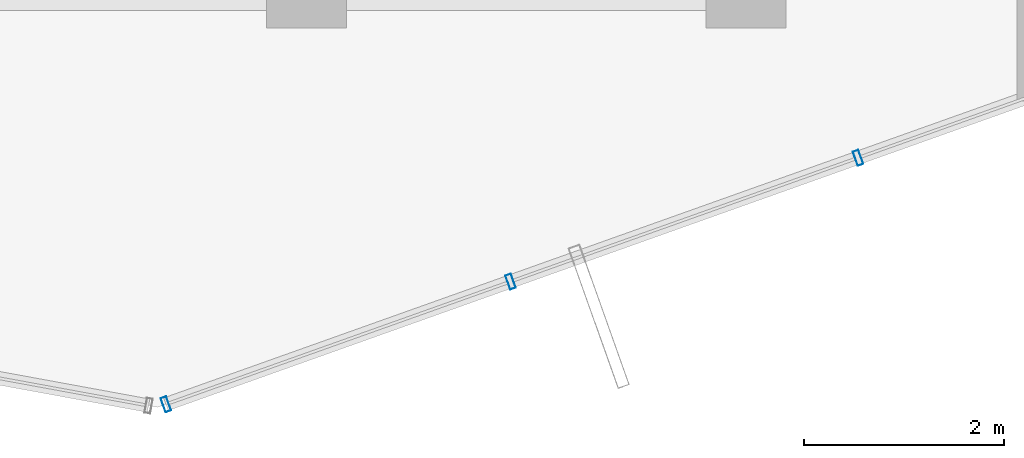
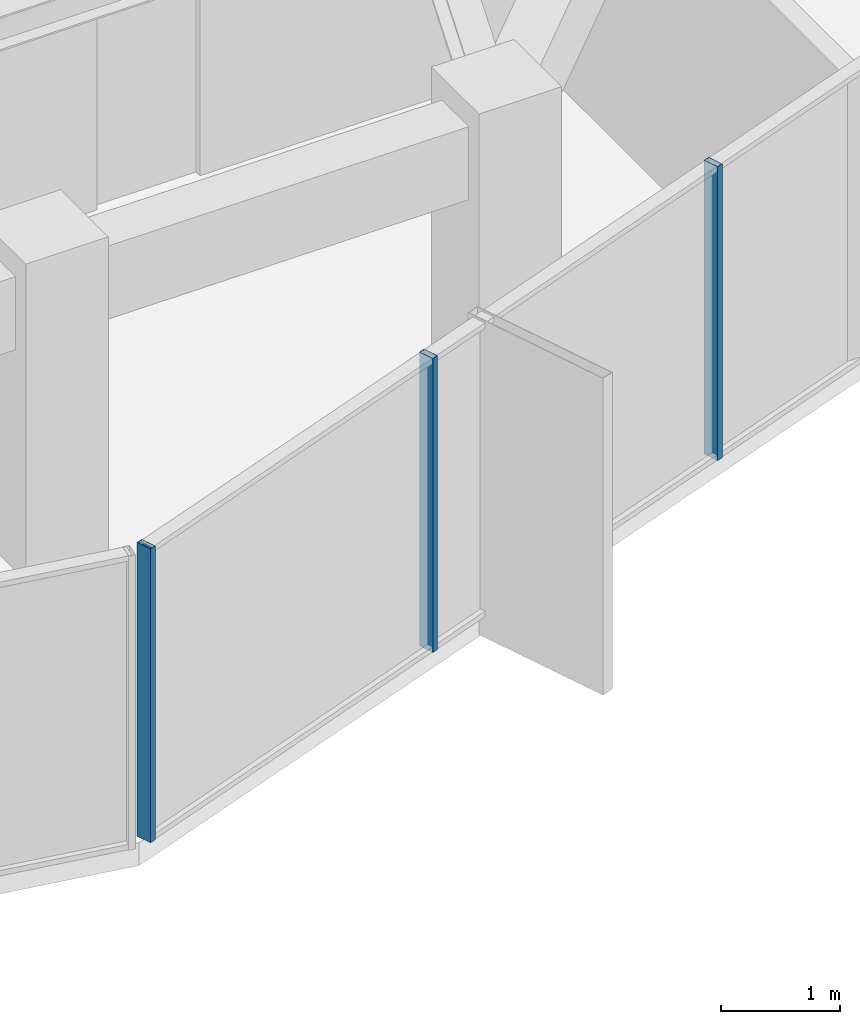
# One storey, part 8 of 29: 3 members, 1 element without a shape of its own.
"""IFC4 building model written with IfcOpenShell, lengths in metres."""

from ifc_helpers import new_model, si_unit, direction, frame, origin, origin_2d, place, context, subcontext, project, spatial, hollow_rectangle, extrude, source, transform, mapped, material, layer, layer_set, material_profile, profile_set, type_object, element, aggregate, save


model = new_model("IFC4")

# Units and contexts
model_context = context("Model", 3, precision=1e-05, world=origin(), true_north=direction((0.0, 1.0)))
body_context = subcontext(model_context, "Body", "Model", "MODEL_VIEW")
ifc_project = project(units=[si_unit("LENGTHUNIT", "METRE"), si_unit("AREAUNIT", "SQUARE_METRE"), si_unit("VOLUMEUNIT", "CUBIC_METRE"), si_unit("PLANEANGLEUNIT", "RADIAN"), si_unit("MASSUNIT", "GRAM", prefix="KILO")], contexts=[model_context])

# Site, building, storey
site_placement = place(None, origin())
site = spatial("IfcSite", under=ifc_project, at=site_placement, CompositionType="ELEMENT")
building_placement = place(site_placement, origin())
building = spatial("IfcBuilding", under=site, at=building_placement, Name="Veraguas Prism Commons", CompositionType="ELEMENT")
storey_placement = place(building_placement, frame((0.0, 0.0, 244.75)))
storey = spatial("IfcBuildingStorey", under=building, at=storey_placement, Name="L69", CompositionType="ELEMENT", Elevation=244.75)

# Curtain wall, members
ifc_material = material(Name="Anodised aluminium EN AW-6063 T6", Category="aluminium")
ifc_layer = layer(ifc_material, 0.14990234375, Name="Unitised Flush Curtain Wall Zone 4", Category="aluminium")
ifc_layer_set = layer_set([ifc_layer], Name="Anodised aluminium EN AW-6063 T6")
curtain_wall_type = type_object("IfcCurtainWallType", Name="Unitised Flush Curtain Wall Zone 4", PredefinedType="NOTDEFINED", material=ifc_layer_set)
curtain_wall_placement = place(storey_placement, origin())
curtain_wall = element("IfcCurtainWall", 1, at=curtain_wall_placement, inside=storey, type_object=curtain_wall_type, Name="Tower Facade Curtain Wall L69-F5", PredefinedType="NOTDEFINED")
ifc_material_profile = material_profile(ifc_material, hollow_rectangle(XDim=0.06005859375, YDim=0.14990234375, WallThickness=0.0029296875, at=origin_2d()), Name="AL60X150X3")
ifc_profile_set = profile_set([ifc_material_profile], Name="Anodised aluminium EN AW-6063 T6")
member_type = type_object("IfcMemberType", Name="Curtain Wall Mullion Upper AL 60x150x3", PredefinedType="MULLION", material=ifc_profile_set)
shared_shape = source(origin(), body_context, "Body", "SweptSolid", [
    extrude(hollow_rectangle(XDim=0.06005859375, YDim=0.14990234375, WallThickness=0.0029296875, at=origin_2d()), origin(), (0.0, 0.0, 1.0), 3.014892578125),
])
member_1_placement = place(storey_placement, frame((22.592529296875, 6.0322265625, 0.0), z_axis=(0.0, 0.0, 1.0), x_axis=(0.942055696354, 0.335456502347, 0.0)))
member_1 = element("IfcMember", 2, at=member_1_placement, type_object=member_type, Name="CW-Z4 Mullion 1", PredefinedType="MULLION", context=body_context, shape_type="MappedRepresentation", body=[
    mapped(shared_shape, transform((0.0, 0.0, 0.0), scale=1.0)),
])
member_2_placement = place(storey_placement, frame((26.0419921875, 7.260498046875, 0.0), z_axis=(0.0, 0.0, 1.0), x_axis=(0.942055696354, 0.335456502347, 0.0)))
member_2 = element("IfcMember", 3, at=member_2_placement, type_object=member_type, Name="CW-Z4 Mullion 2", PredefinedType="MULLION", context=body_context, shape_type="MappedRepresentation", body=[
    mapped(shared_shape, transform((0.0, 0.0, 0.0), scale=1.0)),
])
member_3_placement = place(storey_placement, frame((29.519775390625, 8.4990234375, 0.0), z_axis=(0.0, 0.0, 1.0), x_axis=(0.942055696354, 0.335456502347, 0.0)))
member_3 = element("IfcMember", 4, at=member_3_placement, type_object=member_type, Name="CW-Z4 Mullion 3", PredefinedType="MULLION", context=body_context, shape_type="MappedRepresentation", body=[
    mapped(shared_shape, transform((0.0, 0.0, 0.0), scale=1.0)),
])
aggregate(curtain_wall, [member_1, member_2, member_3])

save(model, "model.ifc")
